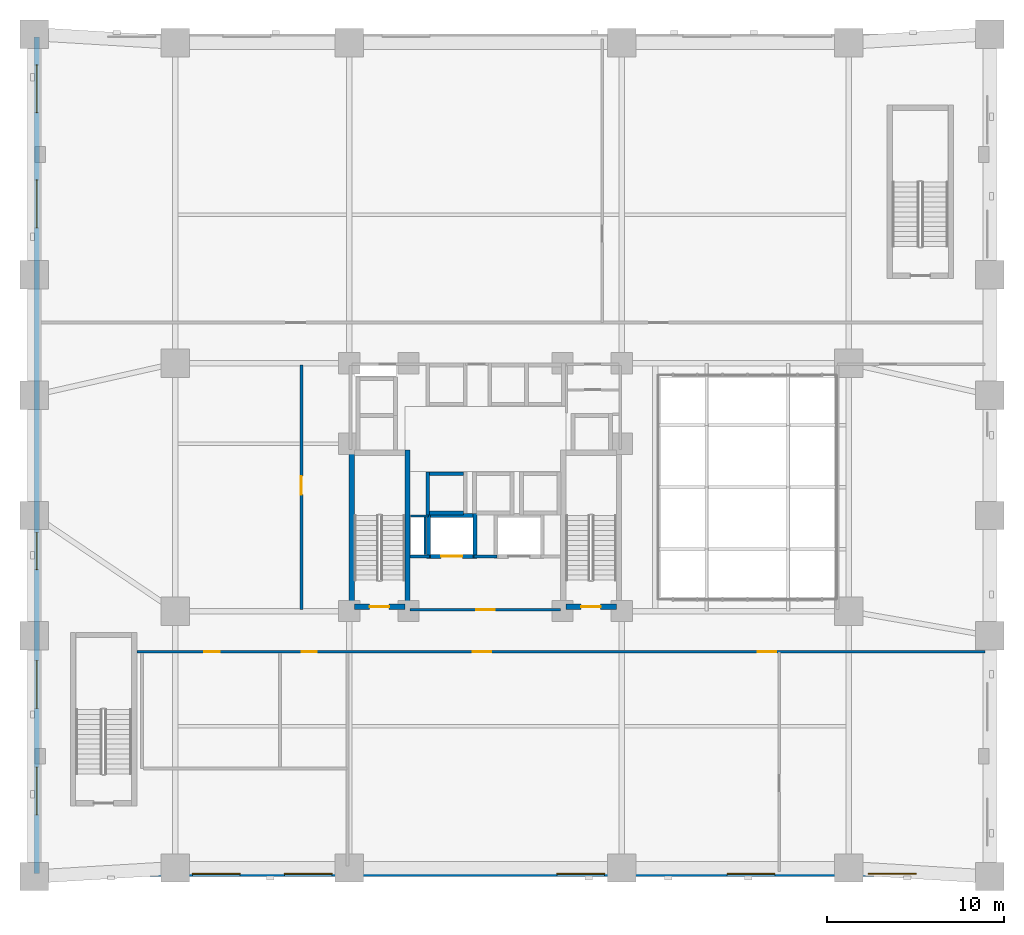
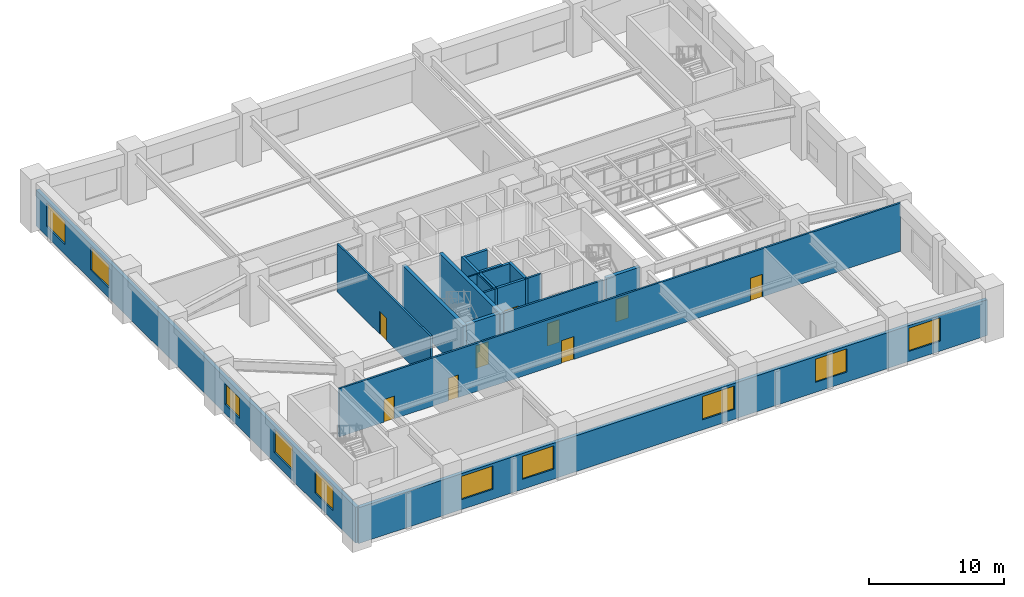
# One storey, part 4 of 11: 20 walls, 10 windows, 9 doors, 19 openings.
"""IFC4 building model written with IfcOpenShell, lengths in metres."""

from ifc_helpers import new_model, si_unit, derived_unit, direction, frame, frame_2d, origin, place, context, subcontext, project, spatial, rectangle, extrude, material, layer, layer_set, type_object, element, fill, save


model = new_model("IFC4")

# Units and contexts
model_context = context("Model", 3, precision=1e-05, world=origin(), true_north=direction((0.0, 1.0)))
body_context = subcontext(model_context, "Body", "Model", "MODEL_VIEW")
ifc_project = project(units=[si_unit("LENGTHUNIT", "METRE"), si_unit("AREAUNIT", "SQUARE_METRE"), si_unit("VOLUMEUNIT", "CUBIC_METRE"), si_unit("PLANEANGLEUNIT", "RADIAN"), si_unit("MASSUNIT", "GRAM", prefix="KILO"), derived_unit("THERMALTRANSMITTANCEUNIT", [(si_unit("MASSUNIT", "GRAM", prefix="KILO"), 1), (si_unit("TIMEUNIT", "SECOND"), -3), (si_unit("THERMODYNAMICTEMPERATUREUNIT", "KELVIN"), -1)])], contexts=[model_context])

# Site, building, storey
site_placement = place(None, origin())
site = spatial("IfcSite", under=ifc_project, at=site_placement, CompositionType="ELEMENT")
building_placement = place(site_placement, origin())
building = spatial("IfcBuilding", under=site, at=building_placement, Name="Korrvale Station Residences", CompositionType="ELEMENT")
storey_placement = place(building_placement, frame((0.0, 0.0, 16.0)))
storey = spatial("IfcBuildingStorey", under=building, at=storey_placement, Name="L03", CompositionType="ELEMENT", Elevation=16.0)

# Walls
ifc_material_1 = material(Name="Concrete C70/85", Category="concrete")
ifc_layer_1 = layer(ifc_material_1, 0.300048828125, Name="Concrete C70/85")
ifc_layer_set_1 = layer_set([ifc_layer_1], Name="Concrete C70/85")
wall_type_1 = type_object("IfcWallType", Name="WAL-CORE-300-C70", PredefinedType="SHEAR", material=ifc_layer_set_1)
for number, where, z_axis, x_axis, name in (
    (1, (17.949951171875, 15.10009765625, 0.0), (0.0, 0.0, 1.0), (0.0, 1.0, 0.0), "L03 ST-1 Core Shear Wall West"),
    (2, (21.10009765625, 15.10009765625, 0.0), (0.0, 0.0, 1.0), (0.0, 1.0, 0.0), "L03 ST-1 Core Shear Wall East"),
):
    element("IfcWall", number, at=place(storey_placement, frame(where, z_axis=z_axis, x_axis=x_axis)), inside=storey, type_object=wall_type_1, Name=name, PredefinedType="SHEAR", context=body_context, shape_type="SweptSolid", body=[
        extrude(rectangle(XDim=9.0, YDim=0.300048828125, at=frame_2d((4.5, 0.0))), origin(), (0.0, 0.0, 1.0), 4.35009765625),
    ])

# Wall, opening, door
wall_1_placement = place(storey_placement, frame((18.10009765625, 15.25, 0.0), z_axis=(0.0, 0.0, 1.0), x_axis=(1.0, 0.0, 0.0)))
wall_1 = element("IfcWall", 3, at=wall_1_placement, inside=storey, type_object=wall_type_1, Name="L03 ST-1 Core Shear Wall South", PredefinedType="SHEAR", context=body_context, shape_type="SweptSolid", body=[
    extrude(rectangle(XDim=2.849853515625, YDim=0.300048828125, at=frame_2d((1.4248046875, 0.0))), origin(), (0.0, 0.0, 1.0), 4.35009765625),
])
opening_1_placement = place(wall_1_placement, frame((0.860107421875, 0.0, 0.0)))
opening_1 = element("IfcOpeningElement", 4, at=opening_1_placement, cuts=wall_1, Name="Opening SD-1100", PredefinedType="OPENING", context=body_context, shape_type="SweptSolid", body=[
    extrude(rectangle(XDim=1.10009765625, YDim=2.050048828125, at=frame_2d((0.550048828125, 1.02490234375))), frame((0.0, 0.16015625, 0.0), z_axis=(0.0, -1.0, 0.0), x_axis=(1.0, 0.0, 0.0)), (0.0, 0.0, 1.0), 0.320068359375),
])
ifc_material_2 = material(Name="Hollow-metal fire-rated stair door with closer", Category="steel")
door_type_1 = type_object("IfcDoorType", Name="DR-STAIR-1100", OperationType="NOTDEFINED", PredefinedType="DOOR", material=ifc_material_2)
door_1_placement = place(opening_1_placement, origin())
door_1 = element("IfcDoor", 5, at=door_1_placement, inside=storey, type_object=door_type_1, Name="L03 ST-1 Exit Stair Door", OperationType="SINGLE_SWING_LEFT", OverallHeight=2.050048828125, OverallWidth=1.10009765625, PredefinedType="DOOR", context=body_context, shape_type="SweptSolid", body=[
    extrude(rectangle(XDim=1.10009765625, YDim=2.050048828125, at=frame_2d((0.550048828125, 1.02490234375))), frame((0.0, 0.02490234375, 0.0), z_axis=(0.0, -1.0, 0.0), x_axis=(1.0, 0.0, 0.0)), (0.0, 0.0, 1.0), 0.050048828125),
])
fill(opening_1, door_1)

wall_2_placement = place(storey_placement, frame((30.050048828125, 15.25, 0.0), z_axis=(0.0, 0.0, 1.0), x_axis=(1.0, 0.0, 0.0)))
wall_2 = element("IfcWall", 6, at=wall_2_placement, inside=storey, type_object=wall_type_1, Name="L03 ST-2 Core Shear Wall South", PredefinedType="SHEAR", context=body_context, shape_type="SweptSolid", body=[
    extrude(rectangle(XDim=2.849853515625, YDim=0.300048828125, at=frame_2d((1.4248046875, 0.0))), origin(), (0.0, 0.0, 1.0), 4.35009765625),
])
opening_2_placement = place(wall_2_placement, frame((0.860107421875, 0.0, 0.0)))
opening_2 = element("IfcOpeningElement", 7, at=opening_2_placement, cuts=wall_2, Name="Opening SD-1100", PredefinedType="OPENING", context=body_context, shape_type="SweptSolid", body=[
    extrude(rectangle(XDim=1.10009765625, YDim=2.050048828125, at=frame_2d((0.550048828125, 1.02490234375))), frame((0.0, 0.16015625, 0.0), z_axis=(0.0, -1.0, 0.0), x_axis=(1.0, 0.0, 0.0)), (0.0, 0.0, 1.0), 0.320068359375),
])
door_2_placement = place(opening_2_placement, origin())
door_2 = element("IfcDoor", 8, at=door_2_placement, inside=storey, type_object=door_type_1, Name="L03 ST-2 Exit Stair Door", OperationType="SINGLE_SWING_RIGHT", OverallHeight=2.050048828125, OverallWidth=1.10009765625, PredefinedType="DOOR", context=body_context, shape_type="SweptSolid", body=[
    extrude(rectangle(XDim=1.10009765625, YDim=2.050048828125, at=frame_2d((0.550048828125, 1.02490234375))), frame((0.0, 0.02490234375, 0.0), z_axis=(0.0, -1.0, 0.0), x_axis=(1.0, 0.0, 0.0)), (0.0, 0.0, 1.0), 0.050048828125),
])
fill(opening_2, door_2)

# Wall, openings, windows
ifc_material_3 = material(Name="Precast concrete C45/55", Category="concrete")
ifc_layer_2 = layer(ifc_material_3, 0.300048828125, Name="Precast concrete C45/55")
ifc_layer_set_2 = layer_set([ifc_layer_2], Name="Precast concrete C45/55")
wall_type_2 = type_object("IfcWallType", Name="WAL-EXT-PC300", PredefinedType="SOLIDWALL", material=ifc_layer_set_2)
wall_3_placement = place(storey_placement, frame((53.840087890625, 0.14990234375, 0.0), z_axis=(0.0, 0.0, 1.0), x_axis=(-1.0, 0.0, 0.0)))
wall_3 = element("IfcWall", 9, at=wall_3_placement, inside=storey, type_object=wall_type_2, Name="L03 South Exterior Precast Wall 1", PredefinedType="SOLIDWALL", context=body_context, shape_type="SweptSolid", body=[
    extrude(rectangle(XDim=53.68017578125, YDim=0.300048828125, at=frame_2d((26.840087890625, 0.0))), origin(), (0.0, 0.0, 1.0), 3.235107421875),
])
opening_3_placement = place(wall_3_placement, frame((4.0, 0.0, 0.89990234375)))
opening_3 = element("IfcOpeningElement", 10, at=opening_3_placement, cuts=wall_3, Name="Opening W-07", PredefinedType="OPENING", context=body_context, shape_type="SweptSolid", body=[
    extrude(rectangle(XDim=2.699951171875, YDim=2.10009765625, at=frame_2d((1.35009765625, 1.050048828125))), frame((0.0, 0.16015625, 0.0), z_axis=(0.0, -1.0, 0.0), x_axis=(1.0, 0.0, 0.0)), (0.0, 0.0, 1.0), 0.320068359375),
])
opening_4_placement = place(wall_3_placement, frame((11.97998046875, 0.0, 0.89990234375)))
opening_4 = element("IfcOpeningElement", 11, at=opening_4_placement, cuts=wall_3, Name="Opening W-07", PredefinedType="OPENING", context=body_context, shape_type="SweptSolid", body=[
    extrude(rectangle(XDim=2.699951171875, YDim=2.10009765625, at=frame_2d((1.35009765625, 1.050048828125))), frame((0.0, 0.16015625, 0.0), z_axis=(0.0, -1.0, 0.0), x_axis=(1.0, 0.0, 0.0)), (0.0, 0.0, 1.0), 0.320068359375),
])
opening_5_placement = place(wall_3_placement, frame((21.60009765625, 0.0, 0.89990234375)))
opening_5 = element("IfcOpeningElement", 12, at=opening_5_placement, cuts=wall_3, Name="Opening W-07", PredefinedType="OPENING", context=body_context, shape_type="SweptSolid", body=[
    extrude(rectangle(XDim=2.699951171875, YDim=2.10009765625, at=frame_2d((1.35009765625, 1.050048828125))), frame((0.0, 0.16015625, 0.0), z_axis=(0.0, -1.0, 0.0), x_axis=(1.0, 0.0, 0.0)), (0.0, 0.0, 1.0), 0.320068359375),
])
opening_6_placement = place(wall_3_placement, frame((37.0, 0.0, 0.89990234375)))
opening_6 = element("IfcOpeningElement", 13, at=opening_6_placement, cuts=wall_3, Name="Opening W-07", PredefinedType="OPENING", context=body_context, shape_type="SweptSolid", body=[
    extrude(rectangle(XDim=2.699951171875, YDim=2.10009765625, at=frame_2d((1.35009765625, 1.050048828125))), frame((0.0, 0.16015625, 0.0), z_axis=(0.0, -1.0, 0.0), x_axis=(1.0, 0.0, 0.0)), (0.0, 0.0, 1.0), 0.320068359375),
])
opening_7_placement = place(wall_3_placement, frame((42.199951171875, 0.0, 0.89990234375)))
opening_7 = element("IfcOpeningElement", 14, at=opening_7_placement, cuts=wall_3, Name="Opening W-07", PredefinedType="OPENING", context=body_context, shape_type="SweptSolid", body=[
    extrude(rectangle(XDim=2.699951171875, YDim=2.10009765625, at=frame_2d((1.35009765625, 1.050048828125))), frame((0.0, 0.16015625, 0.0), z_axis=(0.0, -1.0, 0.0), x_axis=(1.0, 0.0, 0.0)), (0.0, 0.0, 1.0), 0.320068359375),
])
ifc_material_4 = material(Name="Thermally broken aluminium frame with triple low-e glazing", Category="aluminium")
window_type_1 = type_object("IfcWindowType", Name="WIN-W07", PartitioningType="TRIPLE_PANEL_VERTICAL", PredefinedType="WINDOW", material=ifc_material_4)
window_1_placement = place(opening_3_placement, origin())
window_1 = element("IfcWindow", 15, at=window_1_placement, inside=storey, type_object=window_type_1, Name="L03 Station Concourse Punched Window 11", OverallHeight=2.10009765625, OverallWidth=2.699951171875, PartitioningType="TRIPLE_PANEL_VERTICAL", PredefinedType="WINDOW", context=body_context, shape_type="SweptSolid", body=[
    extrude(rectangle(XDim=2.699951171875, YDim=2.10009765625, at=frame_2d((1.35009765625, 1.050048828125))), frame((0.0, 0.030029296875, 0.0), z_axis=(0.0, -1.0, 0.0), x_axis=(1.0, 0.0, 0.0)), (0.0, 0.0, 1.0), 0.06005859375),
])
fill(opening_3, window_1)
window_2_placement = place(opening_4_placement, origin())
window_2 = element("IfcWindow", 16, at=window_2_placement, inside=storey, type_object=window_type_1, Name="L03 Station Concourse Punched Window 12", OverallHeight=2.10009765625, OverallWidth=2.699951171875, PartitioningType="TRIPLE_PANEL_VERTICAL", PredefinedType="WINDOW", context=body_context, shape_type="SweptSolid", body=[
    extrude(rectangle(XDim=2.699951171875, YDim=2.10009765625, at=frame_2d((1.35009765625, 1.050048828125))), frame((0.0, 0.030029296875, 0.0), z_axis=(0.0, -1.0, 0.0), x_axis=(1.0, 0.0, 0.0)), (0.0, 0.0, 1.0), 0.06005859375),
])
fill(opening_4, window_2)
window_3_placement = place(opening_5_placement, origin())
window_3 = element("IfcWindow", 17, at=window_3_placement, inside=storey, type_object=window_type_1, Name="L03 Station Concourse Punched Window 13", OverallHeight=2.10009765625, OverallWidth=2.699951171875, PartitioningType="TRIPLE_PANEL_VERTICAL", PredefinedType="WINDOW", context=body_context, shape_type="SweptSolid", body=[
    extrude(rectangle(XDim=2.699951171875, YDim=2.10009765625, at=frame_2d((1.35009765625, 1.050048828125))), frame((0.0, 0.030029296875, 0.0), z_axis=(0.0, -1.0, 0.0), x_axis=(1.0, 0.0, 0.0)), (0.0, 0.0, 1.0), 0.06005859375),
])
fill(opening_5, window_3)
window_4_placement = place(opening_6_placement, origin())
window_4 = element("IfcWindow", 18, at=window_4_placement, inside=storey, type_object=window_type_1, Name="L03 Station Concourse Punched Window 14", OverallHeight=2.10009765625, OverallWidth=2.699951171875, PartitioningType="TRIPLE_PANEL_VERTICAL", PredefinedType="WINDOW", context=body_context, shape_type="SweptSolid", body=[
    extrude(rectangle(XDim=2.699951171875, YDim=2.10009765625, at=frame_2d((1.35009765625, 1.050048828125))), frame((0.0, 0.030029296875, 0.0), z_axis=(0.0, -1.0, 0.0), x_axis=(1.0, 0.0, 0.0)), (0.0, 0.0, 1.0), 0.06005859375),
])
fill(opening_6, window_4)
window_5_placement = place(opening_7_placement, origin())
window_5 = element("IfcWindow", 19, at=window_5_placement, inside=storey, type_object=window_type_1, Name="L03 Station Concourse Punched Window 15", OverallHeight=2.10009765625, OverallWidth=2.699951171875, PartitioningType="TRIPLE_PANEL_VERTICAL", PredefinedType="WINDOW", context=body_context, shape_type="SweptSolid", body=[
    extrude(rectangle(XDim=2.699951171875, YDim=2.10009765625, at=frame_2d((1.35009765625, 1.050048828125))), frame((0.0, 0.030029296875, 0.0), z_axis=(0.0, -1.0, 0.0), x_axis=(1.0, 0.0, 0.0)), (0.0, 0.0, 1.0), 0.06005859375),
])
fill(opening_7, window_5)

wall_4_placement = place(storey_placement, frame((0.14990234375, 0.159912109375, 0.0), z_axis=(0.0, 0.0, 1.0), x_axis=(0.0, 1.0, 0.0)))
wall_4 = element("IfcWall", 20, at=wall_4_placement, inside=storey, type_object=wall_type_2, Name="L03 West Exterior Precast Wall 1", PredefinedType="SOLIDWALL", context=body_context, shape_type="SweptSolid", body=[
    extrude(rectangle(XDim=47.280029296875, YDim=0.300048828125, at=frame_2d((23.64013671875, 0.0))), origin(), (0.0, 0.0, 1.0), 3.235107421875),
])
opening_8_placement = place(wall_4_placement, frame((3.330078125, 0.0, 0.89990234375)))
opening_8 = element("IfcOpeningElement", 21, at=opening_8_placement, cuts=wall_4, Name="Opening W-07", PredefinedType="OPENING", context=body_context, shape_type="SweptSolid", body=[
    extrude(rectangle(XDim=2.699951171875, YDim=2.10009765625, at=frame_2d((1.35009765625, 1.050048828125))), frame((0.0, 0.16015625, 0.0), z_axis=(0.0, -1.0, 0.0), x_axis=(1.0, 0.0, 0.0)), (0.0, 0.0, 1.0), 0.320068359375),
])
opening_9_placement = place(wall_4_placement, frame((9.340087890625, 0.0, 0.89990234375)))
opening_9 = element("IfcOpeningElement", 22, at=opening_9_placement, cuts=wall_4, Name="Opening W-07", PredefinedType="OPENING", context=body_context, shape_type="SweptSolid", body=[
    extrude(rectangle(XDim=2.699951171875, YDim=2.10009765625, at=frame_2d((1.35009765625, 1.050048828125))), frame((0.0, 0.16015625, 0.0), z_axis=(0.0, -1.0, 0.0), x_axis=(1.0, 0.0, 0.0)), (0.0, 0.0, 1.0), 0.320068359375),
])
opening_10_placement = place(wall_4_placement, frame((17.179931640625, 0.0, 0.85009765625)))
opening_10 = element("IfcOpeningElement", 23, at=opening_10_placement, cuts=wall_4, Name="Opening W-02", PredefinedType="OPENING", context=body_context, shape_type="SweptSolid", body=[
    extrude(rectangle(XDim=2.10009765625, YDim=1.85009765625, at=frame_2d((1.050048828125, 0.925048828125))), frame((0.0, 0.16015625, 0.0), z_axis=(0.0, -1.0, 0.0), x_axis=(1.0, 0.0, 0.0)), (0.0, 0.0, 1.0), 0.320068359375),
])
opening_11_placement = place(wall_4_placement, frame((36.5, 0.0, 0.89990234375)))
opening_11 = element("IfcOpeningElement", 24, at=opening_11_placement, cuts=wall_4, Name="Opening W-07", PredefinedType="OPENING", context=body_context, shape_type="SweptSolid", body=[
    extrude(rectangle(XDim=2.699951171875, YDim=2.10009765625, at=frame_2d((1.35009765625, 1.050048828125))), frame((0.0, 0.16015625, 0.0), z_axis=(0.0, -1.0, 0.0), x_axis=(1.0, 0.0, 0.0)), (0.0, 0.0, 1.0), 0.320068359375),
])
opening_12_placement = place(wall_4_placement, frame((43.0, 0.0, 0.89990234375)))
opening_12 = element("IfcOpeningElement", 25, at=opening_12_placement, cuts=wall_4, Name="Opening W-07", PredefinedType="OPENING", context=body_context, shape_type="SweptSolid", body=[
    extrude(rectangle(XDim=2.699951171875, YDim=2.10009765625, at=frame_2d((1.35009765625, 1.050048828125))), frame((0.0, 0.16015625, 0.0), z_axis=(0.0, -1.0, 0.0), x_axis=(1.0, 0.0, 0.0)), (0.0, 0.0, 1.0), 0.320068359375),
])
window_type_2 = type_object("IfcWindowType", Name="WIN-W02", PartitioningType="DOUBLE_PANEL_VERTICAL", PredefinedType="WINDOW", material=ifc_material_4)
window_6_placement = place(opening_10_placement, origin())
window_6 = element("IfcWindow", 26, at=window_6_placement, inside=storey, type_object=window_type_2, Name="L03 Station Concourse Punched Window 18", OverallHeight=1.85009765625, OverallWidth=2.10009765625, PartitioningType="DOUBLE_PANEL_VERTICAL", PredefinedType="WINDOW", context=body_context, shape_type="SweptSolid", body=[
    extrude(rectangle(XDim=2.10009765625, YDim=1.85009765625, at=frame_2d((1.050048828125, 0.925048828125))), frame((0.0, 0.030029296875, 0.0), z_axis=(0.0, -1.0, 0.0), x_axis=(1.0, 0.0, 0.0)), (0.0, 0.0, 1.0), 0.06005859375),
])
fill(opening_10, window_6)
window_7_placement = place(opening_8_placement, origin())
window_7 = element("IfcWindow", 27, at=window_7_placement, inside=storey, type_object=window_type_1, Name="L03 Station Concourse Punched Window 16", OverallHeight=2.10009765625, OverallWidth=2.699951171875, PartitioningType="TRIPLE_PANEL_VERTICAL", PredefinedType="WINDOW", context=body_context, shape_type="SweptSolid", body=[
    extrude(rectangle(XDim=2.699951171875, YDim=2.10009765625, at=frame_2d((1.35009765625, 1.050048828125))), frame((0.0, 0.030029296875, 0.0), z_axis=(0.0, -1.0, 0.0), x_axis=(1.0, 0.0, 0.0)), (0.0, 0.0, 1.0), 0.06005859375),
])
fill(opening_8, window_7)
window_8_placement = place(opening_9_placement, origin())
window_8 = element("IfcWindow", 28, at=window_8_placement, inside=storey, type_object=window_type_1, Name="L03 Station Concourse Punched Window 17", OverallHeight=2.10009765625, OverallWidth=2.699951171875, PartitioningType="TRIPLE_PANEL_VERTICAL", PredefinedType="WINDOW", context=body_context, shape_type="SweptSolid", body=[
    extrude(rectangle(XDim=2.699951171875, YDim=2.10009765625, at=frame_2d((1.35009765625, 1.050048828125))), frame((0.0, 0.030029296875, 0.0), z_axis=(0.0, -1.0, 0.0), x_axis=(1.0, 0.0, 0.0)), (0.0, 0.0, 1.0), 0.06005859375),
])
fill(opening_9, window_8)
window_9_placement = place(opening_11_placement, origin())
window_9 = element("IfcWindow", 29, at=window_9_placement, inside=storey, type_object=window_type_1, Name="L03 Station Concourse Punched Window 19", OverallHeight=2.10009765625, OverallWidth=2.699951171875, PartitioningType="TRIPLE_PANEL_VERTICAL", PredefinedType="WINDOW", context=body_context, shape_type="SweptSolid", body=[
    extrude(rectangle(XDim=2.699951171875, YDim=2.10009765625, at=frame_2d((1.35009765625, 1.050048828125))), frame((0.0, 0.030029296875, 0.0), z_axis=(0.0, -1.0, 0.0), x_axis=(1.0, 0.0, 0.0)), (0.0, 0.0, 1.0), 0.06005859375),
])
fill(opening_11, window_9)
window_10_placement = place(opening_12_placement, origin())
window_10 = element("IfcWindow", 30, at=window_10_placement, inside=storey, type_object=window_type_1, Name="L03 Station Concourse Punched Window 20", OverallHeight=2.10009765625, OverallWidth=2.699951171875, PartitioningType="TRIPLE_PANEL_VERTICAL", PredefinedType="WINDOW", context=body_context, shape_type="SweptSolid", body=[
    extrude(rectangle(XDim=2.699951171875, YDim=2.10009765625, at=frame_2d((1.35009765625, 1.050048828125))), frame((0.0, 0.030029296875, 0.0), z_axis=(0.0, -1.0, 0.0), x_axis=(1.0, 0.0, 0.0)), (0.0, 0.0, 1.0), 0.06005859375),
])
fill(opening_12, window_10)

# Walls
ifc_material_5 = material(Name="Acoustic steel-stud gypsum board partition", Category="steel")
ifc_layer_3 = layer(ifc_material_5, 0.1201171875, Name="Acoustic steel-stud gypsum board partition")
ifc_layer_set_3 = layer_set([ifc_layer_3], Name="Acoustic steel-stud gypsum board partition")
wall_type_3 = type_object("IfcWallType", Name="WAL-PART-125", PredefinedType="PARTITIONING", material=ifc_layer_set_3)
wall_5_placement = place(storey_placement, frame((22.080078125, 18.199951171875, 0.0), z_axis=(0.0, 0.0, 1.0), x_axis=(0.0, 1.0, 0.0)))
element("IfcWall", 31, at=wall_5_placement, inside=storey, type_object=wall_type_3, Name="L03 Core Partition CW-RSWT", PredefinedType="PARTITIONING", context=body_context, shape_type="SweptSolid", body=[
    extrude(rectangle(XDim=2.1201171875, YDim=0.1201171875, at=frame_2d((1.06005859375, 0.0))), origin(), (0.0, 0.0, 1.0), 4.35009765625),
])
wall_6_placement = place(storey_placement, frame((22.280029296875, 20.3798828125, 0.0), z_axis=(0.0, 0.0, 1.0), x_axis=(-1.0, 0.0, 0.0)))
element("IfcWall", 32, at=wall_6_placement, inside=storey, type_object=wall_type_3, Name="L03 Core Partition CW-RSWT-N", PredefinedType="PARTITIONING", context=body_context, shape_type="SweptSolid", body=[
    extrude(rectangle(XDim=1.02001953125, YDim=0.1201171875, at=frame_2d((0.510009765625, 0.0))), origin(), (0.0, 0.0, 1.0), 4.35009765625),
])

# Wall, opening, door
ifc_material_6 = material(Name="Fire-rated twin-stud gypsum and mineral wool shaftwall assembly", Category="gypsum")
ifc_layer_4 = layer(ifc_material_6, 0.159912109375, Name="Fire-rated twin-stud gypsum and mineral wool shaftwall assembly")
ifc_layer_set_4 = layer_set([ifc_layer_4], Name="Fire-rated twin-stud gypsum and mineral wool shaftwall assembly")
wall_type_4 = type_object("IfcWallType", Name="WAL-PART-200", PredefinedType="PARTITIONING", material=ifc_layer_set_4)
wall_7_placement = place(storey_placement, frame((21.25, 15.080078125, 0.0), z_axis=(0.0, 0.0, 1.0), x_axis=(1.0, 0.0, 0.0)))
wall_7 = element("IfcWall", 33, at=wall_7_placement, inside=storey, type_object=wall_type_4, Name="L03 Core Partition CW-FFL-S", PredefinedType="PARTITIONING", context=body_context, shape_type="SweptSolid", body=[
    extrude(rectangle(XDim=8.5, YDim=0.159912109375, at=frame_2d((4.25, 0.0))), origin(), (0.0, 0.0, 1.0), 4.35009765625),
])
opening_13_placement = place(wall_7_placement, frame((3.72509765625, 0.0, 0.0)))
opening_13 = element("IfcOpeningElement", 34, at=opening_13_placement, cuts=wall_7, Name="Opening FD-1050", PredefinedType="OPENING", context=body_context, shape_type="SweptSolid", body=[
    extrude(rectangle(XDim=1.050048828125, YDim=2.050048828125, at=frame_2d((0.52490234375, 1.02490234375))), frame((0.0, 0.08984375, 0.0), z_axis=(0.0, -1.0, 0.0), x_axis=(1.0, 0.0, 0.0)), (0.0, 0.0, 1.0), 0.179931640625),
])
ifc_material_7 = material(Name="Fire-rated mineral-core timber lobby door", Category="wood")
door_type_2 = type_object("IfcDoorType", Name="DR-CORE-1050", OperationType="NOTDEFINED", PredefinedType="DOOR", material=ifc_material_7)
door_3_placement = place(opening_13_placement, origin())
door_3 = element("IfcDoor", 35, at=door_3_placement, inside=storey, type_object=door_type_2, Name="L03 Firefighting Lobby Entry Door", OperationType="SINGLE_SWING_LEFT", OverallHeight=2.050048828125, OverallWidth=1.050048828125, PredefinedType="DOOR", context=body_context, shape_type="SweptSolid", body=[
    extrude(rectangle(XDim=1.050048828125, YDim=2.050048828125, at=frame_2d((0.52490234375, 1.02490234375))), frame((0.0, 0.02490234375, 0.0), z_axis=(0.0, -1.0, 0.0), x_axis=(1.0, 0.0, 0.0)), (0.0, 0.0, 1.0), 0.050048828125),
])
fill(opening_13, door_3)

# Walls
wall_8_placement = place(storey_placement, frame((21.25, 18.080078125, 0.0), z_axis=(0.0, 0.0, 1.0), x_axis=(1.0, 0.0, 0.0)))
element("IfcWall", 36, at=wall_8_placement, inside=storey, type_object=wall_type_4, Name="L03 Core Partition CW-FFL-N1", PredefinedType="PARTITIONING", context=body_context, shape_type="SweptSolid", body=[
    extrude(rectangle(XDim=1.10009765625, YDim=0.159912109375, at=frame_2d((0.550048828125, 0.0))), origin(), (0.0, 0.0, 1.0), 4.35009765625),
])
wall_9_placement = place(storey_placement, frame((24.85009765625, 18.080078125, 0.0), z_axis=(0.0, 0.0, 1.0), x_axis=(1.0, 0.0, 0.0)))
element("IfcWall", 37, at=wall_9_placement, inside=storey, type_object=wall_type_4, Name="L03 Core Partition CW-FFL-N2", PredefinedType="PARTITIONING", context=body_context, shape_type="SweptSolid", body=[
    extrude(rectangle(XDim=1.2998046875, YDim=0.159912109375, at=frame_2d((0.64990234375, 0.0))), origin(), (0.0, 0.0, 1.0), 4.35009765625),
])

# Wall, openings, doors
wall_10_placement = place(storey_placement, frame((5.800048828125, 12.699951171875, 0.0), z_axis=(0.0, 0.0, 1.0), x_axis=(1.0, 0.0, 0.0)))
wall_10 = element("IfcWall", 38, at=wall_10_placement, inside=storey, type_object=wall_type_4, Name="L03 Interior Partition W-PS", PredefinedType="PARTITIONING", context=body_context, shape_type="SweptSolid", body=[
    extrude(rectangle(XDim=47.919921875, YDim=0.159912109375, at=frame_2d((23.9599609375, 0.0))), origin(), (0.0, 0.0, 1.0), 4.35009765625),
])
opening_14_placement = place(wall_10_placement, frame((3.800048828125, 0.0, 0.0)))
opening_14 = element("IfcOpeningElement", 39, at=opening_14_placement, cuts=wall_10, Name="Opening DI-900", PredefinedType="OPENING", context=body_context, shape_type="SweptSolid", body=[
    extrude(rectangle(XDim=0.89990234375, YDim=2.050048828125, at=frame_2d((0.449951171875, 1.02490234375))), frame((0.0, 0.08984375, 0.0), z_axis=(0.0, -1.0, 0.0), x_axis=(1.0, 0.0, 0.0)), (0.0, 0.0, 1.0), 0.179931640625),
])
opening_15_placement = place(wall_10_placement, frame((9.320068359375, 0.0, 0.0)))
opening_15 = element("IfcOpeningElement", 40, at=opening_15_placement, cuts=wall_10, Name="Opening DB-860", PredefinedType="OPENING", context=body_context, shape_type="SweptSolid", body=[
    extrude(rectangle(XDim=0.860107421875, YDim=2.050048828125, at=frame_2d((0.43017578125, 1.02490234375))), frame((0.0, 0.08984375, 0.0), z_axis=(0.0, -1.0, 0.0), x_axis=(1.0, 0.0, 0.0)), (0.0, 0.0, 1.0), 0.179931640625),
])
opening_16_placement = place(wall_10_placement, frame((18.97509765625, 0.0, 0.0)))
opening_16 = element("IfcOpeningElement", 41, at=opening_16_placement, cuts=wall_10, Name="Opening FD-1050", PredefinedType="OPENING", context=body_context, shape_type="SweptSolid", body=[
    extrude(rectangle(XDim=1.050048828125, YDim=2.050048828125, at=frame_2d((0.52490234375, 1.02490234375))), frame((0.0, 0.08984375, 0.0), z_axis=(0.0, -1.0, 0.0), x_axis=(1.0, 0.0, 0.0)), (0.0, 0.0, 1.0), 0.179931640625),
])
opening_17_placement = place(wall_10_placement, frame((35.090087890625, 0.0, 0.0)))
opening_17 = element("IfcOpeningElement", 42, at=opening_17_placement, cuts=wall_10, Name="Opening FD-1050", PredefinedType="OPENING", context=body_context, shape_type="SweptSolid", body=[
    extrude(rectangle(XDim=1.050048828125, YDim=2.050048828125, at=frame_2d((0.52490234375, 1.02490234375))), frame((0.0, 0.08984375, 0.0), z_axis=(0.0, -1.0, 0.0), x_axis=(1.0, 0.0, 0.0)), (0.0, 0.0, 1.0), 0.179931640625),
])
ifc_material_8 = material(Name="Moisture-resistant solid-core bathroom door", Category="timber")
door_type_3 = type_object("IfcDoorType", Name="DR-BATH-860", OperationType="NOTDEFINED", PredefinedType="DOOR", material=ifc_material_8)
door_4_placement = place(opening_15_placement, origin())
door_4 = element("IfcDoor", 43, at=door_4_placement, inside=storey, type_object=door_type_3, Name="L03 Universal Washroom Door", OperationType="SINGLE_SWING_LEFT", OverallHeight=2.050048828125, OverallWidth=0.860107421875, PredefinedType="DOOR", context=body_context, shape_type="SweptSolid", body=[
    extrude(rectangle(XDim=0.860107421875, YDim=2.050048828125, at=frame_2d((0.43017578125, 1.02490234375))), frame((0.0, 0.02490234375, 0.0), z_axis=(0.0, -1.0, 0.0), x_axis=(1.0, 0.0, 0.0)), (0.0, 0.0, 1.0), 0.050048828125),
])
fill(opening_15, door_4)
door_5_placement = place(opening_16_placement, origin())
door_5 = element("IfcDoor", 44, at=door_5_placement, inside=storey, type_object=door_type_2, Name="L03 South Hall Entry Door 1", OperationType="SINGLE_SWING_RIGHT", OverallHeight=2.050048828125, OverallWidth=1.050048828125, PredefinedType="DOOR", context=body_context, shape_type="SweptSolid", body=[
    extrude(rectangle(XDim=1.050048828125, YDim=2.050048828125, at=frame_2d((0.52490234375, 1.02490234375))), frame((0.0, 0.02490234375, 0.0), z_axis=(0.0, -1.0, 0.0), x_axis=(1.0, 0.0, 0.0)), (0.0, 0.0, 1.0), 0.050048828125),
])
fill(opening_16, door_5)
door_6_placement = place(opening_17_placement, origin())
door_6 = element("IfcDoor", 45, at=door_6_placement, inside=storey, type_object=door_type_2, Name="L03 South Hall Entry Door 2", OperationType="SINGLE_SWING_LEFT", OverallHeight=2.050048828125, OverallWidth=1.050048828125, PredefinedType="DOOR", context=body_context, shape_type="SweptSolid", body=[
    extrude(rectangle(XDim=1.050048828125, YDim=2.050048828125, at=frame_2d((0.52490234375, 1.02490234375))), frame((0.0, 0.02490234375, 0.0), z_axis=(0.0, -1.0, 0.0), x_axis=(1.0, 0.0, 0.0)), (0.0, 0.0, 1.0), 0.050048828125),
])
fill(opening_17, door_6)
ifc_material_9 = material(Name="Painted solid-core timber interior room door", Category="wood")
door_type_4 = type_object("IfcDoorType", Name="DR-INT-900", OperationType="NOTDEFINED", PredefinedType="DOOR", material=ifc_material_9)
door_7_placement = place(opening_14_placement, origin())
door_7 = element("IfcDoor", 46, at=door_7_placement, inside=storey, type_object=door_type_4, Name="L03 Podium Public Washrooms Door", OperationType="SINGLE_SWING_RIGHT", OverallHeight=2.050048828125, OverallWidth=0.89990234375, PredefinedType="DOOR", context=body_context, shape_type="SweptSolid", body=[
    extrude(rectangle(XDim=0.89990234375, YDim=2.050048828125, at=frame_2d((0.449951171875, 1.02490234375))), frame((0.0, 0.02490234375, 0.0), z_axis=(0.0, -1.0, 0.0), x_axis=(1.0, 0.0, 0.0)), (0.0, 0.0, 1.0), 0.050048828125),
])
fill(opening_14, door_7)

# Wall, opening, door
wall_11_placement = place(storey_placement, frame((15.10009765625, 15.10009765625, 0.0), z_axis=(0.0, 0.0, 1.0), x_axis=(0.0, 1.0, 0.0)))
wall_11 = element("IfcWall", 47, at=wall_11_placement, inside=storey, type_object=wall_type_4, Name="L03 Interior Partition W-PW", PredefinedType="PARTITIONING", context=body_context, shape_type="SweptSolid", body=[
    extrude(rectangle(XDim=13.7998046875, YDim=0.159912109375, at=frame_2d((6.89990234375, 0.0))), origin(), (0.0, 0.0, 1.0), 4.35009765625),
])
opening_18_placement = place(wall_11_placement, frame((6.47509765625, 0.0, 0.0)))
opening_18 = element("IfcOpeningElement", 48, at=opening_18_placement, cuts=wall_11, Name="Opening FD-1050", PredefinedType="OPENING", context=body_context, shape_type="SweptSolid", body=[
    extrude(rectangle(XDim=1.050048828125, YDim=2.050048828125, at=frame_2d((0.52490234375, 1.02490234375))), frame((0.0, 0.08984375, 0.0), z_axis=(0.0, -1.0, 0.0), x_axis=(1.0, 0.0, 0.0)), (0.0, 0.0, 1.0), 0.179931640625),
])
door_8_placement = place(opening_18_placement, origin())
door_8 = element("IfcDoor", 49, at=door_8_placement, inside=storey, type_object=door_type_2, Name="L03 West Suite Entry Door", OperationType="SINGLE_SWING_RIGHT", OverallHeight=2.050048828125, OverallWidth=1.050048828125, PredefinedType="DOOR", context=body_context, shape_type="SweptSolid", body=[
    extrude(rectangle(XDim=1.050048828125, YDim=2.050048828125, at=frame_2d((0.52490234375, 1.02490234375))), frame((0.0, 0.02490234375, 0.0), z_axis=(0.0, -1.0, 0.0), x_axis=(1.0, 0.0, 0.0)), (0.0, 0.0, 1.0), 0.050048828125),
])
fill(opening_18, door_8)

# Walls
ifc_layer_5 = layer(ifc_material_1, 0.219970703125, Name="Concrete C70/85")
ifc_layer_set_5 = layer_set([ifc_layer_5], Name="Concrete C70/85")
wall_type_5 = type_object("IfcWallType", Name="WAL-SHAFT-220-C70", PredefinedType="SHEAR", material=ifc_layer_set_5)
for number, where, z_axis, x_axis, name in (
    (50, (22.35009765625, 20.5400390625, 0.0), (0.0, 0.0, 1.0), (1.0, 0.0, 0.0), "L03 Elevator PM-1 Hoistway Wall South"),
    (51, (22.35009765625, 22.760009765625, 0.0), (0.0, 0.0, 1.0), (1.0, 0.0, 0.0), "L03 Elevator PM-1 Hoistway Wall North"),
):
    element("IfcWall", number, at=place(storey_placement, frame(where, z_axis=z_axis, x_axis=x_axis)), inside=storey, type_object=wall_type_5, Name=name, PredefinedType="SHEAR", context=body_context, shape_type="SweptSolid", body=[
        extrude(rectangle(XDim=1.89990234375, YDim=0.219970703125, at=frame_2d((0.949951171875, 0.0))), origin(), (0.0, 0.0, 1.0), 4.35009765625),
    ])
wall_12_placement = place(storey_placement, frame((22.239990234375, 20.429931640625, 0.0), z_axis=(0.0, 0.0, 1.0), x_axis=(0.0, 1.0, 0.0)))
element("IfcWall", 52, at=wall_12_placement, inside=storey, type_object=wall_type_5, Name="L03 Elevator PM-1 Hoistway Wall West", PredefinedType="SHEAR", context=body_context, shape_type="SweptSolid", body=[
    extrude(rectangle(XDim=2.440185546875, YDim=0.219970703125, at=frame_2d((1.22021484375, 0.0))), origin(), (0.0, 0.0, 1.0), 4.35009765625),
])

# Wall, opening, door
wall_13_placement = place(storey_placement, frame((22.39990234375, 18.090087890625, 0.0), z_axis=(0.0, 0.0, 1.0), x_axis=(1.0, 0.0, 0.0)))
wall_13 = element("IfcWall", 53, at=wall_13_placement, inside=storey, type_object=wall_type_5, Name="L03 Elevator FFL-1 Hoistway Wall South", PredefinedType="SHEAR", context=body_context, shape_type="SweptSolid", body=[
    extrude(rectangle(XDim=2.400146484375, YDim=0.219970703125, at=frame_2d((1.2001953125, 0.0))), origin(), (0.0, 0.0, 1.0), 4.35009765625),
])
opening_19_placement = place(wall_13_placement, frame((0.60009765625, 0.0, 0.0)))
opening_19 = element("IfcOpeningElement", 54, at=opening_19_placement, cuts=wall_13, Name="Opening LD-FF1200", PredefinedType="OPENING", context=body_context, shape_type="SweptSolid", body=[
    extrude(rectangle(XDim=1.199951171875, YDim=2.14990234375, at=frame_2d((0.60009765625, 1.074951171875))), frame((0.0, 0.1201171875, 0.0), z_axis=(0.0, -1.0, 0.0), x_axis=(1.0, 0.0, 0.0)), (0.0, 0.0, 1.0), 0.239990234375),
])
ifc_material_10 = material(Name="Stainless-steel firefighter elevator landing sliding door", Category="steel")
door_type_5 = type_object("IfcDoorType", Name="DR-LIFT-FF1200", OperationType="SLIDING_TO_LEFT", PredefinedType="DOOR", material=ifc_material_10)
door_9_placement = place(opening_19_placement, origin())
door_9 = element("IfcDoor", 55, at=door_9_placement, inside=storey, type_object=door_type_5, Name="L03 Elevator FFL-1 Sliding Landing Door", OperationType="SLIDING_TO_LEFT", OverallHeight=2.14990234375, OverallWidth=1.199951171875, PredefinedType="DOOR", context=body_context, shape_type="SweptSolid", body=[
    extrude(rectangle(XDim=1.199951171875, YDim=2.14990234375, at=frame_2d((0.60009765625, 1.074951171875))), frame((0.0, 0.02490234375, 0.0), z_axis=(0.0, -1.0, 0.0), x_axis=(1.0, 0.0, 0.0)), (0.0, 0.0, 1.0), 0.050048828125),
])
fill(opening_19, door_9)

# Walls
wall_14_placement = place(storey_placement, frame((22.39990234375, 20.409912109375, 0.0), z_axis=(0.0, 0.0, 1.0), x_axis=(1.0, 0.0, 0.0)))
element("IfcWall", 56, at=wall_14_placement, inside=storey, type_object=wall_type_5, Name="L03 Elevator FFL-1 Hoistway Wall North", PredefinedType="SHEAR", context=body_context, shape_type="SweptSolid", body=[
    extrude(rectangle(XDim=2.400146484375, YDim=0.219970703125, at=frame_2d((1.2001953125, 0.0))), origin(), (0.0, 0.0, 1.0), 4.35009765625),
])
for number, where, z_axis, x_axis, name in (
    (57, (22.2900390625, 17.97998046875, 0.0), (0.0, 0.0, 1.0), (0.0, 1.0, 0.0), "L03 Elevator FFL-1 Hoistway Wall West"),
    (58, (24.909912109375, 17.97998046875, 0.0), (0.0, 0.0, 1.0), (0.0, 1.0, 0.0), "L03 Elevator FFL-1 Hoistway Wall East"),
):
    element("IfcWall", number, at=place(storey_placement, frame(where, z_axis=z_axis, x_axis=x_axis)), inside=storey, type_object=wall_type_5, Name=name, PredefinedType="SHEAR", context=body_context, shape_type="SweptSolid", body=[
        extrude(rectangle(XDim=2.5400390625, YDim=0.219970703125, at=frame_2d((1.27001953125, 0.0))), origin(), (0.0, 0.0, 1.0), 4.35009765625),
    ])

save(model, "model.ifc")
